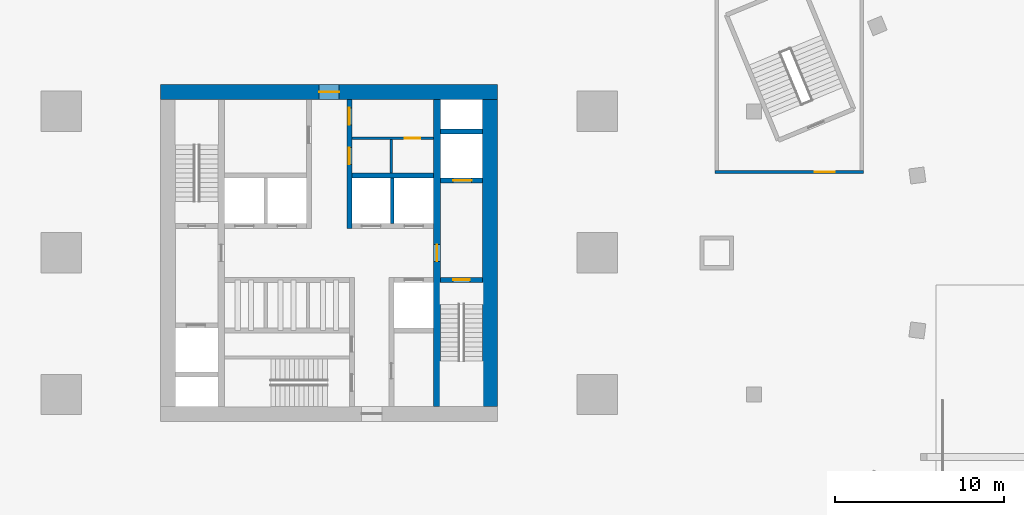
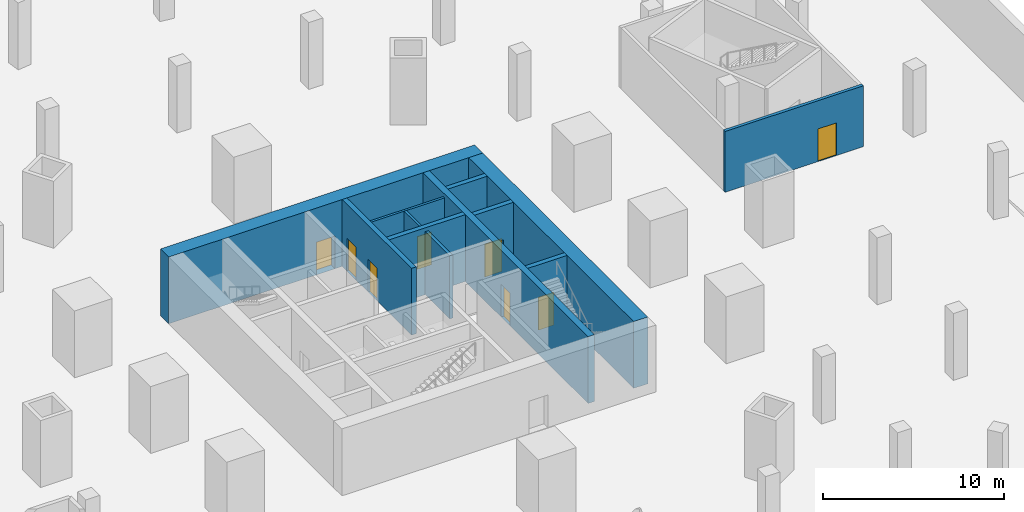
# One storey, part 4 of 9: 12 walls, 8 doors, 8 openings.
"""IFC4 building model written with IfcOpenShell, lengths in metres."""

from ifc_helpers import new_model, si_unit, direction, frame, frame_2d, origin, place, context, subcontext, project, spatial, rectangle, extrude, material, layer, layer_set, type_object, element, fill, save


model = new_model("IFC4")

# Units and contexts
model_context = context("Model", 3, precision=1e-05, world=origin(), true_north=direction((0.0, 1.0)))
body_context = subcontext(model_context, "Body", "Model", "MODEL_VIEW")
ifc_project = project(units=[si_unit("LENGTHUNIT", "METRE"), si_unit("AREAUNIT", "SQUARE_METRE"), si_unit("VOLUMEUNIT", "CUBIC_METRE"), si_unit("PLANEANGLEUNIT", "RADIAN"), si_unit("MASSUNIT", "GRAM", prefix="KILO")], contexts=[model_context])

# Site, building, storey
site_placement = place(None, origin())
site = spatial("IfcSite", under=ifc_project, at=site_placement, CompositionType="ELEMENT")
building_placement = place(site_placement, origin())
building = spatial("IfcBuilding", under=site, at=building_placement, Name="Golbaran Civic Tower", CompositionType="ELEMENT")
storey_placement = place(building_placement, frame((0.0, 0.0, -4.5)))
storey = spatial("IfcBuildingStorey", under=building, at=storey_placement, Name="B1", CompositionType="ELEMENT", Elevation=-4.5)

# Wall, opening, door
ifc_material_1 = material(Name="Concrete block", Category="concrete")
ifc_layer_1 = layer(ifc_material_1, 0.14990234375, Name="Concrete block")
ifc_layer_set_1 = layer_set([ifc_layer_1], Name="Concrete block")
wall_type_1 = type_object("IfcWallType", Name="BLOCKWORK PARTITION 150", PredefinedType="PARTITIONING", material=ifc_layer_set_1)
wall_1_placement = place(storey_placement, frame((1.35009765625, 6.800048828125, 0.0), z_axis=(0.0, 0.0, 1.0), x_axis=(1.0, 0.0, 0.0)))
wall_1 = element("IfcWall", 1, at=wall_1_placement, inside=storey, type_object=wall_type_1, Name="Toilet block partition TN1 B1", PredefinedType="PARTITIONING", context=body_context, shape_type="SweptSolid", body=[
    extrude(rectangle(XDim=4.849853515625, YDim=0.14990234375, at=frame_2d((2.4248046875, 0.0))), origin(), (0.0, 0.0, 1.0), 4.25),
])
opening_1_placement = place(wall_1_placement, frame((3.14990234375, 0.0, 0.0)))
opening_1 = element("IfcOpeningElement", 2, at=opening_1_placement, cuts=wall_1, Name="Opening B1.CLN", PredefinedType="OPENING", context=body_context, shape_type="SweptSolid", body=[
    extrude(rectangle(XDim=0.89990234375, YDim=2.199951171875, at=frame_2d((0.449951171875, 1.10009765625))), frame((0.0, 0.0849609375, 0.0), z_axis=(0.0, -1.0, 0.0), x_axis=(1.0, 0.0, 0.0)), (0.0, 0.0, 1.0), 0.169921875),
])
ifc_material_2 = material(Name="Timber door set in steel frame", Category="steel")
door_type_1 = type_object("IfcDoorType", Name="RISER DOOR 900x2200", OperationType="SINGLE_SWING_LEFT", PredefinedType="DOOR", material=ifc_material_2)
door_1_placement = place(opening_1_placement, origin())
door_1 = element("IfcDoor", 3, at=door_1_placement, inside=storey, type_object=door_type_1, Name="Cleaner's Store door", OperationType="SINGLE_SWING_RIGHT", OverallHeight=2.199951171875, OverallWidth=0.89990234375, PredefinedType="DOOR", context=body_context, shape_type="SweptSolid", body=[
    extrude(rectangle(XDim=0.89990234375, YDim=2.199951171875, at=frame_2d((0.449951171875, 1.10009765625))), frame((0.0, 0.02490234375, 0.0), z_axis=(0.0, -1.0, 0.0), x_axis=(1.0, 0.0, 0.0)), (0.0, 0.0, 1.0), 0.050048828125),
])
fill(opening_1, door_1)

# Wall
wall_2_placement = place(storey_placement, frame((3.699951171875, 4.75, 0.0), z_axis=(0.0, 0.0, 1.0), x_axis=(0.0, 1.0, 0.0)))
element("IfcWall", 4, at=wall_2_placement, inside=storey, type_object=wall_type_1, Name="Toilet block partition TN2 B1", PredefinedType="PARTITIONING", context=body_context, shape_type="SweptSolid", body=[
    extrude(rectangle(XDim=1.97509765625, YDim=0.14990234375, at=frame_2d((0.987548828125, 0.0))), origin(), (0.0, 0.0, 1.0), 4.25),
])

# Wall, opening, door
ifc_material_3 = material(Name="Concrete C50/60", Category="concrete")
ifc_layer_2 = layer(ifc_material_3, 0.39990234375, Name="Concrete C50/60")
ifc_layer_set_2 = layer_set([ifc_layer_2], Name="Concrete C50/60")
wall_type_2 = type_object("IfcWallType", Name="CORE WALL CONCRETE 400", PredefinedType="SOLIDWALL", material=ifc_layer_set_2)
wall_3_placement = place(storey_placement, frame((6.39990234375, 9.10009765625, 0.0), z_axis=(0.0, 0.0, 1.0), x_axis=(0.0, -1.0, 0.0)))
wall_3 = element("IfcWall", 5, at=wall_3_placement, inside=storey, type_object=wall_type_2, Name="Core wall IE B1", PredefinedType="SOLIDWALL", context=body_context, shape_type="SweptSolid", body=[
    extrude(rectangle(XDim=18.2001953125, YDim=0.39990234375, at=frame_2d((9.10009765625, 0.0))), origin(), (0.0, 0.0, 1.0), 4.5),
])
opening_2_placement = place(wall_3_placement, frame((8.60009765625, 0.0, 0.0)))
opening_2 = element("IfcOpeningElement", 6, at=opening_2_placement, cuts=wall_3, Name="Opening B1.FL2", PredefinedType="OPENING", context=body_context, shape_type="SweptSolid", body=[
    extrude(rectangle(XDim=1.0, YDim=2.199951171875, at=frame_2d((0.5, 1.10009765625))), frame((0.0, 0.2099609375, 0.0), z_axis=(0.0, -1.0, 0.0), x_axis=(1.0, 0.0, 0.0)), (0.0, 0.0, 1.0), 0.419921875),
])
door_type_2 = type_object("IfcDoorType", Name="STAIR DOOR 1000x2200", OperationType="SINGLE_SWING_LEFT", PredefinedType="DOOR", material=ifc_material_2)
door_2_placement = place(opening_2_placement, origin())
door_2 = element("IfcDoor", 7, at=door_2_placement, inside=storey, type_object=door_type_2, Name="Fire-fighting lobby FL2 door", OperationType="SINGLE_SWING_RIGHT", OverallHeight=2.199951171875, OverallWidth=1.0, PredefinedType="DOOR", context=body_context, shape_type="SweptSolid", body=[
    extrude(rectangle(XDim=1.0, YDim=2.199951171875, at=frame_2d((0.5, 1.10009765625))), frame((0.0, 0.02490234375, 0.0), z_axis=(0.0, -1.0, 0.0), x_axis=(1.0, 0.0, 0.0)), (0.0, 0.0, 1.0), 0.050048828125),
])
fill(opening_2, door_2)

ifc_layer_3 = layer(ifc_material_3, 0.89990234375, Name="Concrete C50/60")
ifc_layer_set_3 = layer_set([ifc_layer_3], Name="Concrete C50/60")
wall_type_3 = type_object("IfcWallType", Name="CORE WALL CONCRETE 900", PredefinedType="SOLIDWALL", material=ifc_layer_set_3)
wall_4_placement = place(storey_placement, frame((-10.0, 9.550048828125, 0.0), z_axis=(0.0, 0.0, 1.0), x_axis=(1.0, 0.0, 0.0)))
wall_4 = element("IfcWall", 8, at=wall_4_placement, inside=storey, type_object=wall_type_3, Name="Core wall CN B1", PredefinedType="SOLIDWALL", context=body_context, shape_type="SweptSolid", body=[
    extrude(rectangle(XDim=20.0, YDim=0.89990234375, at=frame_2d((10.0, 0.0))), origin(), (0.0, 0.0, 1.0), 4.5),
])
opening_3_placement = place(wall_4_placement, frame((9.39990234375, 0.0, 0.0)))
opening_3 = element("IfcOpeningElement", 9, at=opening_3_placement, cuts=wall_4, Name="Opening B1.CN", PredefinedType="OPENING", context=body_context, shape_type="SweptSolid", body=[
    extrude(rectangle(XDim=1.199951171875, YDim=2.199951171875, at=frame_2d((0.60009765625, 1.10009765625))), frame((0.0, 0.4599609375, 0.0), z_axis=(0.0, -1.0, 0.0), x_axis=(1.0, 0.0, 0.0)), (0.0, 0.0, 1.0), 0.919921875),
])
door_type_3 = type_object("IfcDoorType", Name="CORE DOOR 1200x2200", OperationType="DOUBLE_DOOR_SINGLE_SWING", PredefinedType="DOOR", material=ifc_material_2)
door_3_placement = place(opening_3_placement, origin())
door_3 = element("IfcDoor", 10, at=door_3_placement, inside=storey, type_object=door_type_3, Name="Core door north", OperationType="DOUBLE_DOOR_SINGLE_SWING", OverallHeight=2.199951171875, OverallWidth=1.199951171875, PredefinedType="DOOR", context=body_context, shape_type="SweptSolid", body=[
    extrude(rectangle(XDim=1.199951171875, YDim=2.199951171875, at=frame_2d((0.60009765625, 1.10009765625))), frame((0.0, 0.02490234375, 0.0), z_axis=(0.0, -1.0, 0.0), x_axis=(1.0, 0.0, 0.0)), (0.0, 0.0, 1.0), 0.050048828125),
])
fill(opening_3, door_3)

# Walls
wall_5_placement = place(storey_placement, frame((9.550048828125, -9.10009765625, 0.0), z_axis=(0.0, 0.0, 1.0), x_axis=(0.0, 1.0, 0.0)))
element("IfcWall", 11, at=wall_5_placement, inside=storey, type_object=wall_type_3, Name="Core wall CE B1", PredefinedType="SOLIDWALL", context=body_context, shape_type="SweptSolid", body=[
    extrude(rectangle(XDim=18.2001953125, YDim=0.89990234375, at=frame_2d((9.10009765625, 0.0))), origin(), (0.0, 0.0, 1.0), 4.5),
])
ifc_layer_4 = layer(ifc_material_1, 0.199951171875, Name="Concrete block")
ifc_layer_set_4 = layer_set([ifc_layer_4], Name="Concrete block")
wall_type_4 = type_object("IfcWallType", Name="LIFT SEPARATOR WALL 200", PredefinedType="SOLIDWALL", material=ifc_layer_set_4)
wall_6_placement = place(storey_placement, frame((3.75, 1.75, 0.0), z_axis=(0.0, 0.0, 1.0), x_axis=(0.0, 1.0, 0.0)))
element("IfcWall", 12, at=wall_6_placement, inside=storey, type_object=wall_type_4, Name="Core partition SNE B1", PredefinedType="SOLIDWALL", context=body_context, shape_type="SweptSolid", body=[
    extrude(rectangle(XDim=2.699951171875, YDim=0.199951171875, at=frame_2d((1.35009765625, 0.0))), origin(), (0.0, 0.0, 1.0), 4.25),
])
ifc_layer_5 = layer(ifc_material_3, 0.300048828125, Name="Concrete C50/60")
ifc_layer_set_5 = layer_set([ifc_layer_5], Name="Concrete C50/60")
wall_type_5 = type_object("IfcWallType", Name="SHAFT WALL CONCRETE 300", PredefinedType="SOLIDWALL", material=ifc_layer_set_5)
wall_7_placement = place(storey_placement, frame((1.35009765625, 4.60009765625, 0.0), z_axis=(0.0, 0.0, 1.0), x_axis=(1.0, 0.0, 0.0)))
element("IfcWall", 13, at=wall_7_placement, inside=storey, type_object=wall_type_5, Name="Core wall BNE B1", PredefinedType="SOLIDWALL", context=body_context, shape_type="SweptSolid", body=[
    extrude(rectangle(XDim=4.849853515625, YDim=0.300048828125, at=frame_2d((2.4248046875, 0.0))), origin(), (0.0, 0.0, 1.0), 4.5),
])

# Wall, openings, doors
wall_8_placement = place(storey_placement, frame((1.199951171875, 1.449951171875, 0.0), z_axis=(0.0, 0.0, 1.0), x_axis=(0.0, 1.0, 0.0)))
wall_8 = element("IfcWall", 14, at=wall_8_placement, inside=storey, type_object=wall_type_5, Name="Core wall PNE B1", PredefinedType="SOLIDWALL", context=body_context, shape_type="SweptSolid", body=[
    extrude(rectangle(XDim=7.650146484375, YDim=0.300048828125, at=frame_2d((3.8251953125, 0.0))), origin(), (0.0, 0.0, 1.0), 4.5),
])
opening_4_placement = place(wall_8_placement, frame((3.800048828125, 0.0, 0.0)))
opening_4 = element("IfcOpeningElement", 15, at=opening_4_placement, cuts=wall_8, Name="Opening B1.WCA", PredefinedType="OPENING", context=body_context, shape_type="SweptSolid", body=[
    extrude(rectangle(XDim=1.0, YDim=2.199951171875, at=frame_2d((0.5, 1.10009765625))), frame((0.0, 0.159912109375, 0.0), z_axis=(0.0, -1.0, 0.0), x_axis=(1.0, 0.0, 0.0)), (0.0, 0.0, 1.0), 0.320068359375),
])
opening_5_placement = place(wall_8_placement, frame((6.14990234375, 0.0, 0.0)))
opening_5 = element("IfcOpeningElement", 16, at=opening_5_placement, cuts=wall_8, Name="Opening B1.WCF", PredefinedType="OPENING", context=body_context, shape_type="SweptSolid", body=[
    extrude(rectangle(XDim=1.0, YDim=2.199951171875, at=frame_2d((0.5, 1.10009765625))), frame((0.0, 0.159912109375, 0.0), z_axis=(0.0, -1.0, 0.0), x_axis=(1.0, 0.0, 0.0)), (0.0, 0.0, 1.0), 0.320068359375),
])
door_type_4 = type_object("IfcDoorType", Name="TOILET DOOR 1000x2200", OperationType="SINGLE_SWING_LEFT", PredefinedType="DOOR", material=ifc_material_2)
door_4_placement = place(opening_4_placement, origin())
door_4 = element("IfcDoor", 17, at=door_4_placement, inside=storey, type_object=door_type_4, Name="Accessible WC door", OperationType="SINGLE_SWING_RIGHT", OverallHeight=2.199951171875, OverallWidth=1.0, PredefinedType="DOOR", context=body_context, shape_type="SweptSolid", body=[
    extrude(rectangle(XDim=1.0, YDim=2.199951171875, at=frame_2d((0.5, 1.10009765625))), frame((0.0, 0.02490234375, 0.0), z_axis=(0.0, -1.0, 0.0), x_axis=(1.0, 0.0, 0.0)), (0.0, 0.0, 1.0), 0.050048828125),
])
fill(opening_4, door_4)
door_5_placement = place(opening_5_placement, origin())
door_5 = element("IfcDoor", 18, at=door_5_placement, inside=storey, type_object=door_type_4, Name="North-east toilet block door", OperationType="SINGLE_SWING_RIGHT", OverallHeight=2.199951171875, OverallWidth=1.0, PredefinedType="DOOR", context=body_context, shape_type="SweptSolid", body=[
    extrude(rectangle(XDim=1.0, YDim=2.199951171875, at=frame_2d((0.5, 1.10009765625))), frame((0.0, 0.02490234375, 0.0), z_axis=(0.0, -1.0, 0.0), x_axis=(1.0, 0.0, 0.0)), (0.0, 0.0, 1.0), 0.050048828125),
])
fill(opening_5, door_5)

# Wall, opening, door
wall_9_placement = place(storey_placement, frame((6.60009765625, -1.60009765625, 0.0), z_axis=(0.0, 0.0, 1.0), x_axis=(1.0, 0.0, 0.0)))
wall_9 = element("IfcWall", 19, at=wall_9_placement, inside=storey, type_object=wall_type_5, Name="Core wall XE1 B1", PredefinedType="SOLIDWALL", context=body_context, shape_type="SweptSolid", body=[
    extrude(rectangle(XDim=2.5, YDim=0.300048828125, at=frame_2d((1.25, 0.0))), origin(), (0.0, 0.0, 1.0), 4.5),
])
opening_6_placement = place(wall_9_placement, frame((0.75, 0.0, 0.0)))
opening_6 = element("IfcOpeningElement", 20, at=opening_6_placement, cuts=wall_9, Name="Opening B1.S2", PredefinedType="OPENING", context=body_context, shape_type="SweptSolid", body=[
    extrude(rectangle(XDim=1.0, YDim=2.199951171875, at=frame_2d((0.5, 1.10009765625))), frame((0.0, 0.159912109375, 0.0), z_axis=(0.0, -1.0, 0.0), x_axis=(1.0, 0.0, 0.0)), (0.0, 0.0, 1.0), 0.320068359375),
])
door_6_placement = place(opening_6_placement, origin())
door_6 = element("IfcDoor", 21, at=door_6_placement, inside=storey, type_object=door_type_2, Name="Stair S2 door", OperationType="SINGLE_SWING_LEFT", OverallHeight=2.199951171875, OverallWidth=1.0, PredefinedType="DOOR", context=body_context, shape_type="SweptSolid", body=[
    extrude(rectangle(XDim=1.0, YDim=2.199951171875, at=frame_2d((0.5, 1.10009765625))), frame((0.0, 0.02490234375, 0.0), z_axis=(0.0, -1.0, 0.0), x_axis=(1.0, 0.0, 0.0)), (0.0, 0.0, 1.0), 0.050048828125),
])
fill(opening_6, door_6)

wall_10_placement = place(storey_placement, frame((6.60009765625, 4.300048828125, 0.0), z_axis=(0.0, 0.0, 1.0), x_axis=(1.0, 0.0, 0.0)))
wall_10 = element("IfcWall", 22, at=wall_10_placement, inside=storey, type_object=wall_type_5, Name="Core wall XE2 B1", PredefinedType="SOLIDWALL", context=body_context, shape_type="SweptSolid", body=[
    extrude(rectangle(XDim=2.5, YDim=0.300048828125, at=frame_2d((1.25, 0.0))), origin(), (0.0, 0.0, 1.0), 4.5),
])
opening_7_placement = place(wall_10_placement, frame((0.75, 0.0, 0.0)))
opening_7 = element("IfcOpeningElement", 23, at=opening_7_placement, cuts=wall_10, Name="Opening B1.LD-F2", PredefinedType="OPENING", context=body_context, shape_type="SweptSolid", body=[
    extrude(rectangle(XDim=1.10009765625, YDim=2.199951171875, at=frame_2d((0.550048828125, 1.10009765625))), frame((0.0, 0.159912109375, 0.0), z_axis=(0.0, -1.0, 0.0), x_axis=(1.0, 0.0, 0.0)), (0.0, 0.0, 1.0), 0.320068359375),
])
ifc_material_4 = material(Name="Stainless steel", Category="steel")
door_type_5 = type_object("IfcDoorType", Name="LIFT LANDING DOOR 1100x2200", OperationType="SLIDING_TO_LEFT", PredefinedType="DOOR", material=ifc_material_4)
door_7_placement = place(opening_7_placement, origin())
door_7 = element("IfcDoor", 24, at=door_7_placement, inside=storey, type_object=door_type_5, Name="Lift landing door F2", OperationType="SLIDING_TO_LEFT", OverallHeight=2.199951171875, OverallWidth=1.10009765625, PredefinedType="DOOR", context=body_context, shape_type="SweptSolid", body=[
    extrude(rectangle(XDim=1.10009765625, YDim=2.199951171875, at=frame_2d((0.550048828125, 1.10009765625))), frame((0.0, 0.02490234375, 0.0), z_axis=(0.0, -1.0, 0.0), x_axis=(1.0, 0.0, 0.0)), (0.0, 0.0, 1.0), 0.050048828125),
])
fill(opening_7, door_7)

# Wall
wall_11_placement = place(storey_placement, frame((6.60009765625, 7.199951171875, 0.0), z_axis=(0.0, 0.0, 1.0), x_axis=(1.0, 0.0, 0.0)))
element("IfcWall", 25, at=wall_11_placement, inside=storey, type_object=wall_type_5, Name="Core wall XE3 B1", PredefinedType="SOLIDWALL", context=body_context, shape_type="SweptSolid", body=[
    extrude(rectangle(XDim=2.5, YDim=0.300048828125, at=frame_2d((1.25, 0.0))), origin(), (0.0, 0.0, 1.0), 4.5),
])

# Wall, opening, door
ifc_material_5 = material(Name="Reinforced blockwork, fire-rated", Category="masonry")
ifc_layer_6 = layer(ifc_material_5, 0.199951171875, Name="Reinforced blockwork, fire-rated")
ifc_layer_set_6 = layer_set([ifc_layer_6], Name="Reinforced blockwork, fire-rated")
wall_type_6 = type_object("IfcWallType", Name="STAIR LOBBY WALL 200", PredefinedType="PARTITIONING", material=ifc_layer_set_6)
wall_12_placement = place(storey_placement, frame((22.89990234375, 4.800048828125, 0.0), z_axis=(0.0, 0.0, 1.0), x_axis=(1.0, 0.0, 0.0)))
wall_12 = element("IfcWall", 26, at=wall_12_placement, inside=storey, type_object=wall_type_6, Name="Stair P1 lobby wall B1", PredefinedType="PARTITIONING", context=body_context, shape_type="SweptSolid", body=[
    extrude(rectangle(XDim=8.800048828125, YDim=0.199951171875, at=frame_2d((4.39990234375, 0.0))), origin(), (0.0, 0.0, 1.0), 4.10009765625),
])
opening_8_placement = place(wall_12_placement, frame((5.89990234375, 0.0, 0.0)))
opening_8 = element("IfcOpeningElement", 27, at=opening_8_placement, cuts=wall_12, Name="Opening B1.06", PredefinedType="OPENING", context=body_context, shape_type="SweptSolid", body=[
    extrude(rectangle(XDim=1.199951171875, YDim=2.199951171875, at=frame_2d((0.60009765625, 1.10009765625))), frame((0.0, 0.10986328125, 0.0), z_axis=(0.0, -1.0, 0.0), x_axis=(1.0, 0.0, 0.0)), (0.0, 0.0, 1.0), 0.219970703125),
])
ifc_material_6 = material(Name="Steel door set, fire-rated, self-closing", Category="steel")
door_type_6 = type_object("IfcDoorType", Name="STAIR LOBBY FIRE DOOR 1200x2200", OperationType="SINGLE_SWING_LEFT", PredefinedType="DOOR", material=ifc_material_6)
door_8_placement = place(opening_8_placement, origin())
door_8 = element("IfcDoor", 28, at=door_8_placement, inside=storey, type_object=door_type_6, Name="Stair P1 lobby door B1", OperationType="SINGLE_SWING_RIGHT", OverallHeight=2.199951171875, OverallWidth=1.199951171875, PredefinedType="DOOR", context=body_context, shape_type="SweptSolid", body=[
    extrude(rectangle(XDim=1.199951171875, YDim=2.199951171875, at=frame_2d((0.60009765625, 1.10009765625))), frame((0.0, 0.02490234375, 0.0), z_axis=(0.0, -1.0, 0.0), x_axis=(1.0, 0.0, 0.0)), (0.0, 0.0, 1.0), 0.050048828125),
])
fill(opening_8, door_8)

save(model, "model.ifc")
